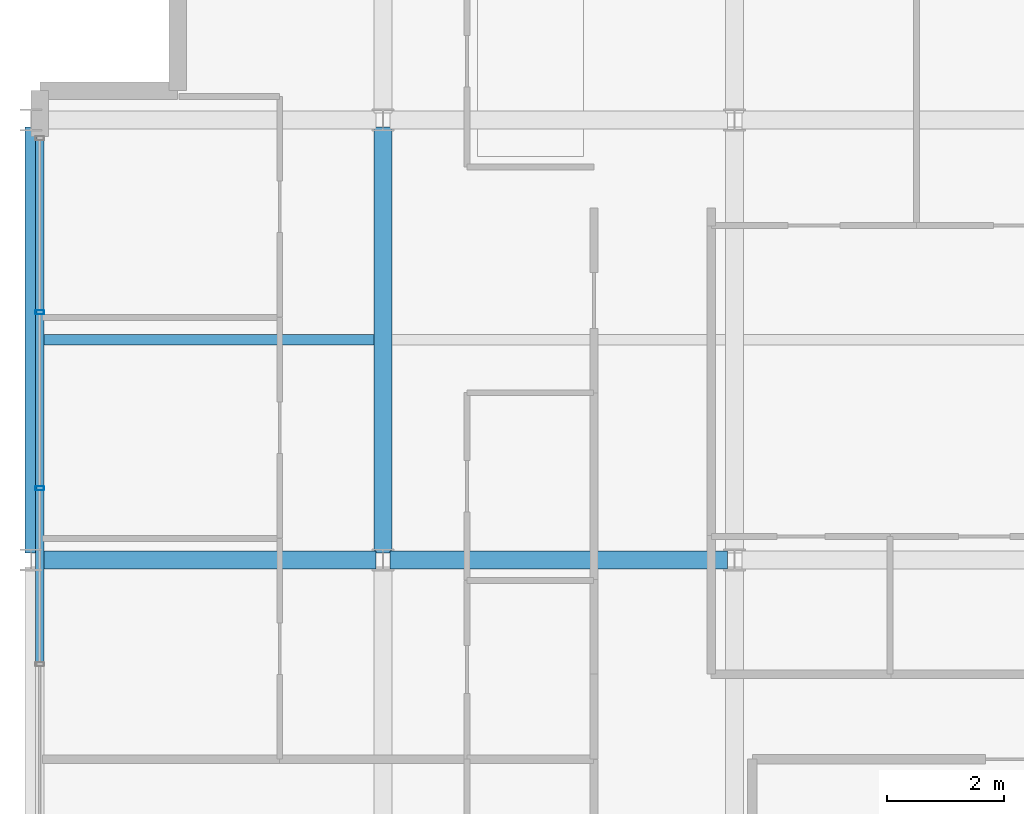
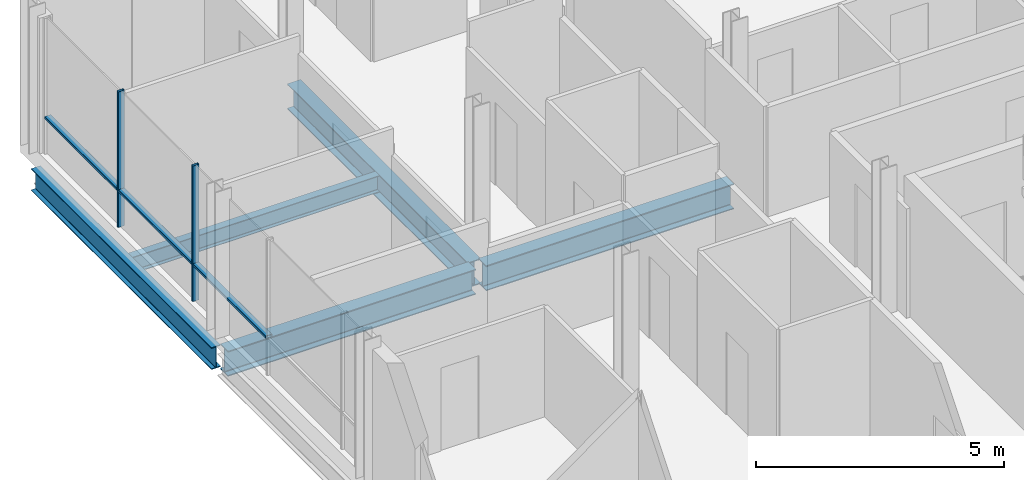
# One storey, part 6 of 35: 5 beams, 5 members, 1 element without a shape of its own.
"""IFC4 building model written with IfcOpenShell, lengths in metres."""

from ifc_helpers import new_model, si_unit, direction, frame, origin, origin_2d, place, context, subcontext, project, spatial, hollow_rectangle, i_section, extrude, material, layer, layer_set, material_profile, profile_set, type_object, element, aggregate, save


model = new_model("IFC4")

# Units and contexts
model_context = context("Model", 3, precision=1e-05, world=origin(), true_north=direction((0.0, 1.0)))
body_context = subcontext(model_context, "Body", "Model", "MODEL_VIEW")
ifc_project = project(units=[si_unit("LENGTHUNIT", "METRE"), si_unit("AREAUNIT", "SQUARE_METRE"), si_unit("VOLUMEUNIT", "CUBIC_METRE"), si_unit("PLANEANGLEUNIT", "RADIAN"), si_unit("MASSUNIT", "GRAM", prefix="KILO")], contexts=[model_context])

# Site, building, storey
site_placement = place(None, origin())
site = spatial("IfcSite", under=ifc_project, at=site_placement, CompositionType="ELEMENT")
building_placement = place(site_placement, origin())
building = spatial("IfcBuilding", under=site, at=building_placement, Name="Brevholm Reach", CompositionType="ELEMENT")
storey_placement = place(building_placement, frame((0.0, 0.0, 214.39990234375)))
storey = spatial("IfcBuildingStorey", under=building, at=storey_placement, Name="L65", CompositionType="ELEMENT", Elevation=214.39990234375)

# Beams
ifc_material_1 = material(Name="Structural Steel S355J2", Category="steel")
ifc_material_profile_1 = material_profile(ifc_material_1, i_section(OverallWidth=0.177978515625, OverallDepth=0.406494140625, WebThickness=0.0078125, FlangeThickness=0.0126953125, FilletRadius=0.01025390625, at=origin_2d()), Name="UKB 406x178x60")
ifc_profile_set_1 = profile_set([ifc_material_profile_1], Name="Structural Steel S355J2")
beam_type_1 = type_object("IfcBeamType", Name="BM-B406", PredefinedType="BEAM", material=ifc_profile_set_1)
beam_1_placement = place(storey_placement, frame((0.10546875, 19.75, -0.623046875), z_axis=(1.0, 0.0, 0.0), x_axis=(0.0, 1.0, 0.0)))
element("IfcBeam", 1, at=beam_1_placement, inside=storey, type_object=beam_type_1, Name="L65 Composite Secondary Floor Beam", PredefinedType="BEAM", context=body_context, shape_type="SweptSolid", body=[
    extrude(i_section(OverallWidth=0.177978515625, OverallDepth=0.406494140625, WebThickness=0.0078125, FlangeThickness=0.0126953125, FilletRadius=0.01025390625, at=origin_2d()), origin(), (0.0, 0.0, 1.0), 5.740966796875),
])
ifc_material_2 = material(Name="Structural Steel S355J2", Category="steel")
ifc_material_profile_2 = material_profile(ifc_material_2, i_section(OverallWidth=0.210693359375, OverallDepth=0.53955078125, WebThickness=0.01171875, FlangeThickness=0.018798828125, FilletRadius=0.0126953125, at=origin_2d()), Name="UKB 533x210x109")
ifc_profile_set_2 = profile_set([ifc_material_profile_2], Name="Structural Steel S355J2")
beam_type_2 = type_object("IfcBeamType", Name="BM-SP539", PredefinedType="SPANDREL", material=ifc_profile_set_2)
beam_2_placement = place(storey_placement, frame((0.0, 16.1201171875, -0.689697265625), z_axis=(0.0, 1.0, 0.0), x_axis=(-1.0, 0.0, 0.0)))
element("IfcBeam", 2, at=beam_2_placement, inside=storey, type_object=beam_type_2, Name="L65 SP-01B Framing Beam", PredefinedType="SPANDREL", context=body_context, shape_type="SweptSolid", body=[
    extrude(i_section(OverallWidth=0.210693359375, OverallDepth=0.53955078125, WebThickness=0.01171875, FlangeThickness=0.018798828125, FilletRadius=0.0126953125, at=origin_2d()), origin(), (0.0, 0.0, 1.0), 7.259765625),
])
ifc_material_3 = material(Name="Structural Steel S355J2", Category="steel")
ifc_material_profile_3 = material_profile(ifc_material_3, i_section(OverallWidth=0.30712890625, OverallDepth=0.6201171875, WebThickness=0.01416015625, FlangeThickness=0.023681640625, FilletRadius=0.0166015625, at=origin_2d()), Name="UKB 610x305x179")
ifc_profile_set_3 = profile_set([ifc_material_profile_3], Name="Structural Steel S355J2")
beam_type_3 = type_object("IfcBeamType", Name="BM-UKB610H", PredefinedType="USERDEFINED", material=ifc_profile_set_3)
for number, where, z_axis, x_axis, name in (
    (3, (0.1201171875, 16.0, -0.72998046875), (1.0, 0.0, 0.0), (0.0, 1.0, 0.0), "L65 G-06 Framing Beam"),
    (4, (6.1201171875, 16.0, -0.72998046875), (1.0, 0.0, 0.0), (0.0, 1.0, 0.0), "L65 G-06 Framing Beam"),
):
    element("IfcBeam", number, at=place(storey_placement, frame(where, z_axis=z_axis, x_axis=x_axis)), inside=storey, type_object=beam_type_3, Name=name, ObjectType="GIRDER", PredefinedType="USERDEFINED", context=body_context, shape_type="SweptSolid", body=[
        extrude(i_section(OverallWidth=0.30712890625, OverallDepth=0.6201171875, WebThickness=0.01416015625, FlangeThickness=0.023681640625, FilletRadius=0.0166015625, at=origin_2d()), origin(), (0.0, 0.0, 1.0), 5.759765625),
    ])
beam_3_placement = place(storey_placement, frame((6.0, 16.1201171875, -0.72998046875), z_axis=(0.0, 1.0, 0.0), x_axis=(-1.0, 0.0, 0.0)))
element("IfcBeam", 5, at=beam_3_placement, inside=storey, type_object=beam_type_3, Name="L65 G-06 Framing Beam", ObjectType="GIRDER", PredefinedType="USERDEFINED", context=body_context, shape_type="SweptSolid", body=[
    extrude(i_section(OverallWidth=0.30712890625, OverallDepth=0.6201171875, WebThickness=0.01416015625, FlangeThickness=0.023681640625, FilletRadius=0.0166015625, at=origin_2d()), origin(), (0.0, 0.0, 1.0), 7.259765625),
])

# Curtain wall, members
ifc_material_4 = material(Name="Dark Anodised Aluminium 6063-T6 and Solar-Control Glass", Category="aluminium")
ifc_layer = layer(ifc_material_4, 0.14990234375)
ifc_layer_set = layer_set([ifc_layer], Name="Dark Anodised Aluminium 6063-T6 and Solar-Control Glass")
curtain_wall_type = type_object("IfcCurtainWallType", Name="CW-01", PredefinedType="NOTDEFINED", material=ifc_layer_set)
curtain_wall_placement = place(storey_placement, origin())
curtain_wall = element("IfcCurtainWall", 6, at=curtain_wall_placement, inside=storey, type_object=curtain_wall_type, Name="L65 Curtain Wall CW-01", PredefinedType="NOTDEFINED")
ifc_material_5 = material(Name="Dark Anodised Aluminium 6063-T6", Category="aluminium")
ifc_material_profile_4 = material_profile(ifc_material_5, hollow_rectangle(XDim=0.06494140625, YDim=0.14990234375, WallThickness=0.0048828125, InnerFilletRadius=0.0048828125, OuterFilletRadius=0.010009765625, at=origin_2d()), Name="RHS 150x65x5")
ifc_profile_set_4 = profile_set([ifc_material_profile_4], Name="Dark Anodised Aluminium 6063-T6")
member_type_1 = type_object("IfcMemberType", Name="CWM-150", PredefinedType="MULLION", material=ifc_profile_set_4)
member_1_placement = place(storey_placement, frame((0.14990234375, 20.219970703125, 0.0), z_axis=(0.0, 0.0, 1.0), x_axis=(0.0, -1.0, 0.0)))
member_1 = element("IfcMember", 7, at=member_1_placement, type_object=member_type_1, Name="CM-150 Mullion 2", PredefinedType="MULLION", context=body_context, shape_type="SweptSolid", body=[
    extrude(hollow_rectangle(XDim=0.06494140625, YDim=0.14990234375, WallThickness=0.0048828125, InnerFilletRadius=0.0048828125, OuterFilletRadius=0.010009765625, at=origin_2d()), origin(), (0.0, 0.0, 1.0), 3.330078125),
])
member_2_placement = place(storey_placement, frame((0.14990234375, 17.219970703125, 0.0), z_axis=(0.0, 0.0, 1.0), x_axis=(0.0, -1.0, 0.0)))
member_2 = element("IfcMember", 8, at=member_2_placement, type_object=member_type_1, Name="CM-150 Mullion 3", PredefinedType="MULLION", context=body_context, shape_type="SweptSolid", body=[
    extrude(hollow_rectangle(XDim=0.06494140625, YDim=0.14990234375, WallThickness=0.0048828125, InnerFilletRadius=0.0048828125, OuterFilletRadius=0.010009765625, at=origin_2d()), origin(), (0.0, 0.0, 1.0), 3.330078125),
])
ifc_material_6 = material(Name="Dark Anodised Aluminium 6063-T6", Category="aluminium")
ifc_material_profile_5 = material_profile(ifc_material_6, hollow_rectangle(XDim=0.06494140625, YDim=0.14990234375, WallThickness=0.0048828125, InnerFilletRadius=0.0048828125, OuterFilletRadius=0.010009765625, at=origin_2d()), Name="RHS 150x65x5")
ifc_profile_set_5 = profile_set([ifc_material_profile_5], Name="Dark Anodised Aluminium 6063-T6")
member_type_2 = type_object("IfcMemberType", Name="CWT-150", PredefinedType="NOTDEFINED", material=ifc_profile_set_5)
member_3_placement = place(storey_placement, frame((0.14990234375, 23.155029296875, 0.900146484375), z_axis=(0.0, -1.0, 0.0), x_axis=(0.0, 0.0, 1.0)))
member_3 = element("IfcMember", 9, at=member_3_placement, type_object=member_type_2, Name="CT-150 Transom 1.1", ObjectType="TRANSOM", PredefinedType="USERDEFINED", context=body_context, shape_type="SweptSolid", body=[
    extrude(hollow_rectangle(XDim=0.06494140625, YDim=0.14990234375, WallThickness=0.0048828125, InnerFilletRadius=0.0048828125, OuterFilletRadius=0.010009765625, at=origin_2d()), origin(), (0.0, 0.0, 1.0), 2.902587890625),
])
member_4_placement = place(storey_placement, frame((0.14990234375, 20.1875, 0.900146484375), z_axis=(0.0, -1.0, 0.0), x_axis=(0.0, 0.0, 1.0)))
member_4 = element("IfcMember", 10, at=member_4_placement, type_object=member_type_2, Name="CT-150 Transom 2.1", ObjectType="TRANSOM", PredefinedType="USERDEFINED", context=body_context, shape_type="SweptSolid", body=[
    extrude(hollow_rectangle(XDim=0.06494140625, YDim=0.14990234375, WallThickness=0.0048828125, InnerFilletRadius=0.0048828125, OuterFilletRadius=0.010009765625, at=origin_2d()), origin(), (0.0, 0.0, 1.0), 2.93505859375),
])
member_5_placement = place(storey_placement, frame((0.14990234375, 17.1875, 0.900146484375), z_axis=(0.0, -1.0, 0.0), x_axis=(0.0, 0.0, 1.0)))
member_5 = element("IfcMember", 11, at=member_5_placement, type_object=member_type_2, Name="CT-150 Transom 3.1", ObjectType="TRANSOM", PredefinedType="USERDEFINED", context=body_context, shape_type="SweptSolid", body=[
    extrude(hollow_rectangle(XDim=0.06494140625, YDim=0.14990234375, WallThickness=0.0048828125, InnerFilletRadius=0.0048828125, OuterFilletRadius=0.010009765625, at=origin_2d()), origin(), (0.0, 0.0, 1.0), 2.93505859375),
])
aggregate(curtain_wall, [member_1, member_2, member_3, member_4, member_5])

save(model, "model.ifc")
